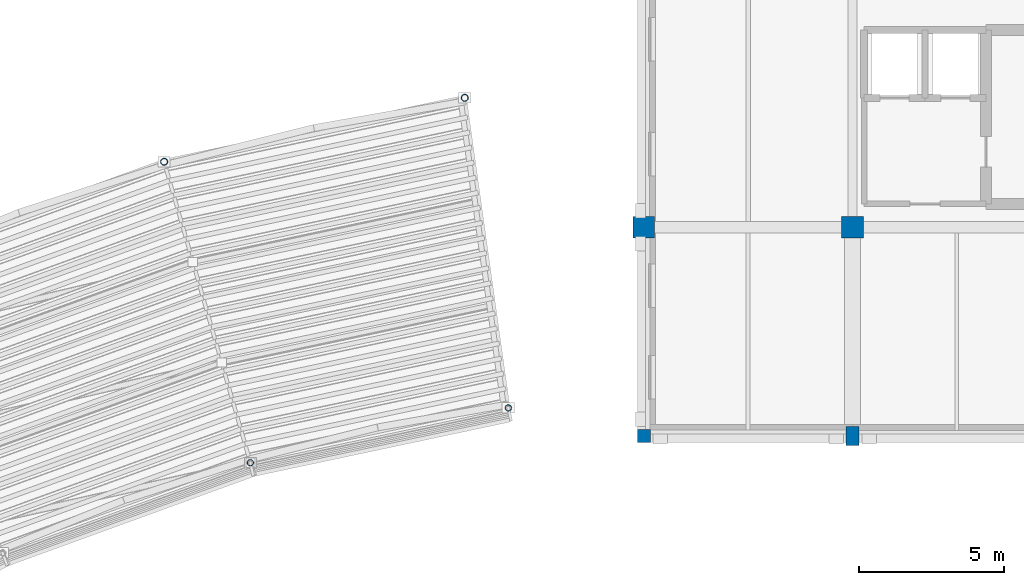
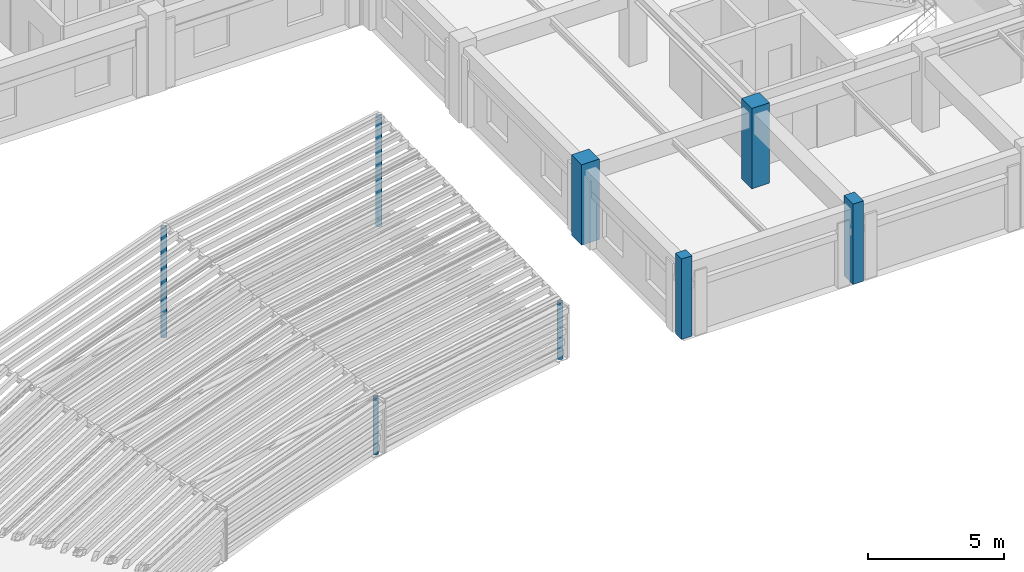
# One storey, part 13 of 74: 8 columns.
"""IFC4 building model written with IfcOpenShell, lengths in metres."""

from ifc_helpers import new_model, si_unit, direction, frame, origin, origin_2d, place, context, subcontext, project, spatial, rectangle, hollow_circle, extrude, material, material_profile, profile_set, type_object, element, save


model = new_model("IFC4")

# Units and contexts
model_context = context("Model", 3, precision=1e-05, world=origin(), true_north=direction((0.0, 1.0)))
body_context = subcontext(model_context, "Body", "Model", "MODEL_VIEW")
ifc_project = project(units=[si_unit("LENGTHUNIT", "METRE"), si_unit("AREAUNIT", "SQUARE_METRE"), si_unit("VOLUMEUNIT", "CUBIC_METRE"), si_unit("PLANEANGLEUNIT", "RADIAN"), si_unit("MASSUNIT", "GRAM", prefix="KILO")], contexts=[model_context])

# Site, building, storey
site_placement = place(None, origin())
site = spatial("IfcSite", under=ifc_project, at=site_placement, CompositionType="ELEMENT")
building_placement = place(site_placement, origin())
building = spatial("IfcBuilding", under=site, at=building_placement, Name="Clarverna Civic Hall", CompositionType="ELEMENT")
storey_placement = place(building_placement, frame((0.0, 0.0, 13.199951171875)))
storey = spatial("IfcBuildingStorey", under=building, at=storey_placement, Name="L03", CompositionType="ELEMENT", Elevation=13.199951171875)

# Columns
ifc_material_1 = material(Name="Concrete C35/45", Category="concrete")
ifc_material_profile_1 = material_profile(ifc_material_1, rectangle(XDim=0.449951171875, YDim=0.449951171875, at=origin_2d()), Name="RC 450x450")
ifc_profile_set_1 = profile_set([ifc_material_profile_1], Name="Concrete C35/45")
column_type_1 = type_object("IfcColumnType", Name="C-RC13", PredefinedType="COLUMN", material=ifc_profile_set_1)
column_1_placement = place(storey_placement, frame((147.60009765625, 71.60009765625, 0.0), z_axis=(0.0, 0.0, 1.0), x_axis=(1.0, 0.0, 0.0)))
element("IfcColumn", 1, at=column_1_placement, inside=storey, type_object=column_type_1, Name="C-RC13-033", PredefinedType="COLUMN", context=body_context, shape_type="SweptSolid", body=[
    extrude(rectangle(XDim=0.449951171875, YDim=0.449951171875, at=origin_2d()), origin(), (0.0, 0.0, 1.0), 3.60009765625),
])
ifc_material_profile_2 = material_profile(ifc_material_1, rectangle(XDim=0.449951171875, YDim=0.64990234375, at=origin_2d()), Name="RC 450x650")
ifc_profile_set_2 = profile_set([ifc_material_profile_2], Name="Concrete C35/45")
column_type_2 = type_object("IfcColumnType", Name="C-RC18", PredefinedType="COLUMN", material=ifc_profile_set_2)
column_2_placement = place(storey_placement, frame((154.800048828125, 71.60009765625, 0.0), z_axis=(0.0, 0.0, 1.0), x_axis=(1.0, 0.0, 0.0)))
element("IfcColumn", 2, at=column_2_placement, inside=storey, type_object=column_type_2, Name="C-RC18-024", PredefinedType="COLUMN", context=body_context, shape_type="SweptSolid", body=[
    extrude(rectangle(XDim=0.449951171875, YDim=0.64990234375, at=origin_2d()), origin(), (0.0, 0.0, 1.0), 3.60009765625),
])
ifc_material_2 = material(Name="Concrete C40/50", Category="concrete")
ifc_material_profile_3 = material_profile(ifc_material_2, rectangle(XDim=0.75, YDim=0.75, at=origin_2d()), Name="RC 750x750")
ifc_profile_set_3 = profile_set([ifc_material_profile_3], Name="Concrete C40/50")
column_type_3 = type_object("IfcColumnType", Name="C-RC5", PredefinedType="COLUMN", material=ifc_profile_set_3)
for number, where, z_axis, x_axis, name in (
    (3, (147.60009765625, 78.800048828125, 0.0), (0.0, 0.0, 1.0), (1.0, 0.0, 0.0), "C-RC5-074"),
    (4, (154.800048828125, 78.800048828125, 0.0), (0.0, 0.0, 1.0), (1.0, 0.0, 0.0), "C-RC5-083"),
):
    element("IfcColumn", number, at=place(storey_placement, frame(where, z_axis=z_axis, x_axis=x_axis)), inside=storey, type_object=column_type_3, Name=name, PredefinedType="COLUMN", context=body_context, shape_type="SweptSolid", body=[
        extrude(rectangle(XDim=0.75, YDim=0.75, at=origin_2d()), origin(), (0.0, 0.0, 1.0), 3.60009765625),
    ])
ifc_material_3 = material(Name="Steel S355", Category="steel")
ifc_material_profile_4 = material_profile(ifc_material_3, hollow_circle(Radius=0.122314453125, WallThickness=0.012451171875, at=origin_2d()), Name="CHS 244.5x12.5")
ifc_profile_set_4 = profile_set([ifc_material_profile_4], Name="Steel S355")
column_type_4 = type_object("IfcColumnType", Name="C-ST15", PredefinedType="COLUMN", material=ifc_profile_set_4)
for number, where, z_axis, x_axis, name in (
    (5, (141.4228515625, 83.260498046875, 0.0), (0.0, 0.0, 1.0), (1.0, 0.0, 0.0), "C-ST15-001"),
    (6, (131.051513671875, 81.055908203125, 0.0), (0.0, 0.0, 1.0), (1.0, 0.0, 0.0), "C-ST15-002"),
):
    element("IfcColumn", number, at=place(storey_placement, frame(where, z_axis=z_axis, x_axis=x_axis)), inside=storey, type_object=column_type_4, Name=name, PredefinedType="COLUMN", context=body_context, shape_type="SweptSolid", body=[
        extrude(hollow_circle(Radius=0.122314453125, WallThickness=0.012451171875, at=origin_2d()), origin(), (0.0, 0.0, 1.0), 4.900146484375),
    ])
ifc_material_profile_5 = material_profile(ifc_material_3, hollow_circle(Radius=0.109619140625, WallThickness=0.010009765625, at=origin_2d()), Name="CHS 219.1x10.0")
ifc_profile_set_5 = profile_set([ifc_material_profile_5], Name="Steel S355")
column_type_5 = type_object("IfcColumnType", Name="C-ST16", PredefinedType="COLUMN", material=ifc_profile_set_5)
for number, where, z_axis, x_axis, name in (
    (7, (142.92578125, 72.5654296875, 0.0), (0.0, 0.0, 1.0), (1.0, 0.0, 0.0), "C-ST16-001"),
    (8, (134.0283203125, 70.67431640625, 0.0), (0.0, 0.0, 1.0), (1.0, 0.0, 0.0), "C-ST16-002"),
):
    element("IfcColumn", number, at=place(storey_placement, frame(where, z_axis=z_axis, x_axis=x_axis)), inside=storey, type_object=column_type_5, Name=name, PredefinedType="COLUMN", context=body_context, shape_type="SweptSolid", body=[
        extrude(hollow_circle(Radius=0.109619140625, WallThickness=0.010009765625, at=origin_2d()), origin(), (0.0, 0.0, 1.0), 2.550048828125),
    ])

save(model, "model.ifc")
